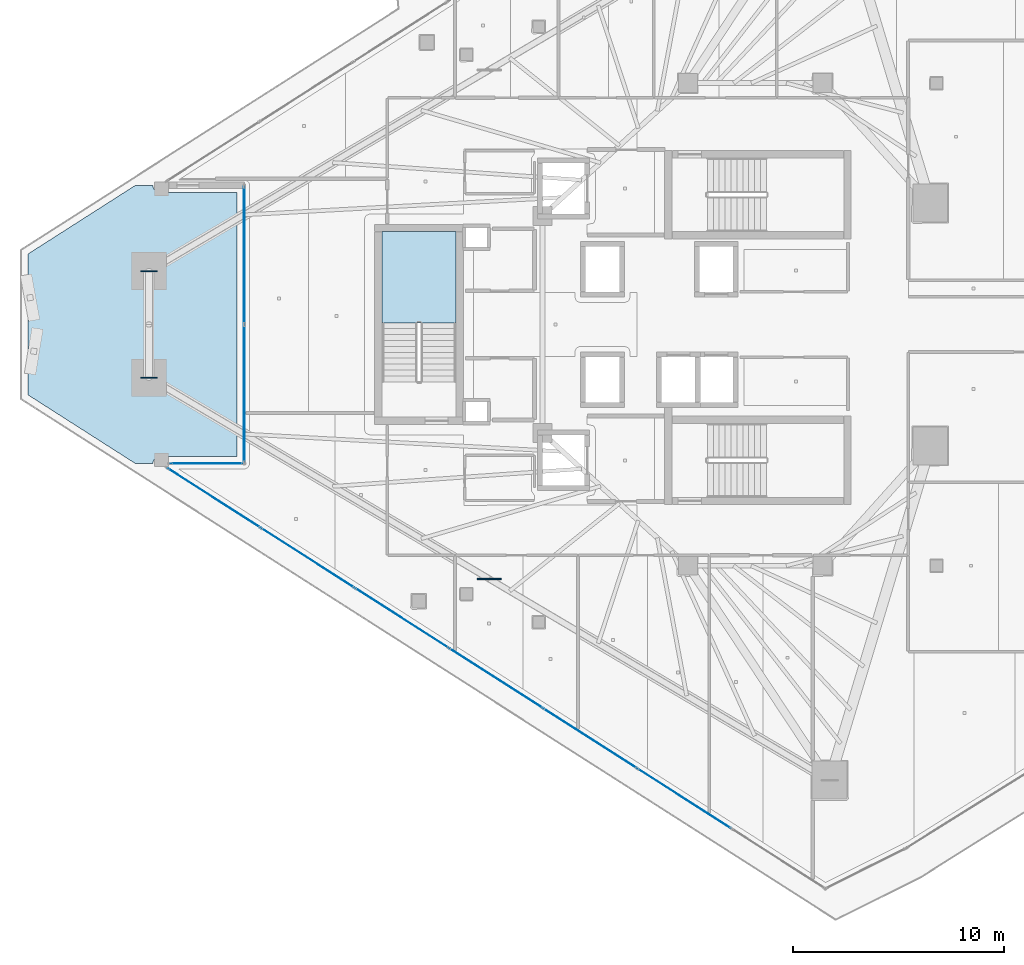
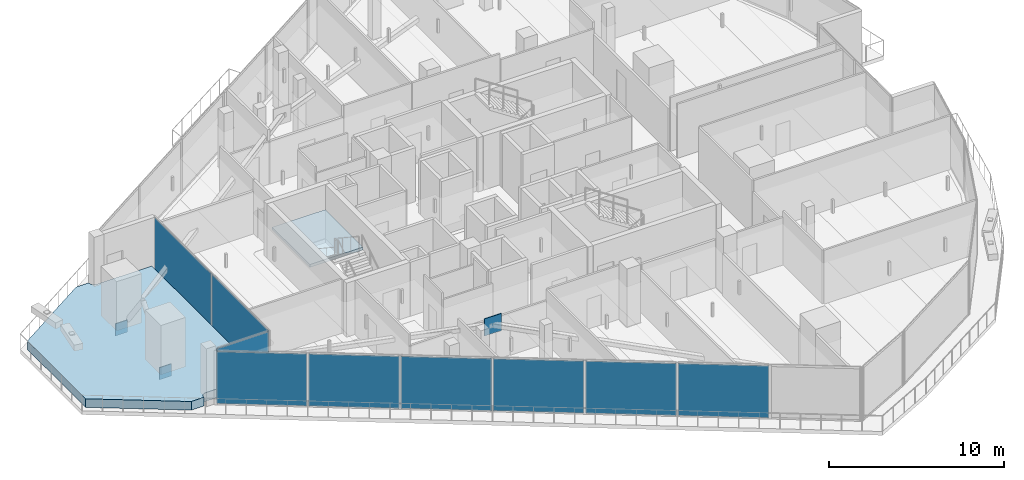
# One storey, part 26 of 40: 12 plates, 2 slabs, 4 elements without a shape of their own.
"""IFC4 building model written with IfcOpenShell, lengths in metres."""

from ifc_helpers import new_model, si_unit, direction, frame, origin, origin_2d, place, context, subcontext, project, spatial, polyline, rectangle, outline, extrude, material, layer, layer_set, type_object, element, aggregate, save


model = new_model("IFC4")

# Units and contexts
model_context = context("Model", 3, precision=1e-05, world=origin(), true_north=direction((0.0, 1.0)))
body_context = subcontext(model_context, "Body", "Model", "MODEL_VIEW")
ifc_project = project(units=[si_unit("LENGTHUNIT", "METRE"), si_unit("AREAUNIT", "SQUARE_METRE"), si_unit("VOLUMEUNIT", "CUBIC_METRE"), si_unit("PLANEANGLEUNIT", "RADIAN"), si_unit("MASSUNIT", "GRAM", prefix="KILO")], contexts=[model_context])

# Site, building, storey
site_placement = place(None, origin())
site = spatial("IfcSite", under=ifc_project, at=site_placement, CompositionType="ELEMENT")
building_placement = place(site_placement, origin())
building = spatial("IfcBuilding", under=site, at=building_placement, Name="Qorvath Tower", CompositionType="ELEMENT")
storey_placement = place(building_placement, frame((0.0, 0.0, 225.300048828125)))
storey = spatial("IfcBuildingStorey", under=building, at=storey_placement, Name="L52", CompositionType="ELEMENT", Elevation=225.300048828125)

# Curtain wall, plates
ifc_material_1 = material(Name="Anodised aluminium and triple low-E glass", Category="aluminium")
ifc_layer_1 = layer(ifc_material_1, 0.179931640625)
ifc_layer_set_1 = layer_set([ifc_layer_1], Name="CW-SYS-5")
curtain_wall_type = type_object("IfcCurtainWallType", Name="CW-SYS-5", PredefinedType="NOTDEFINED", material=ifc_layer_set_1)
curtain_wall_1_placement = place(storey_placement, origin())
curtain_wall_1 = element("IfcCurtainWall", 1, at=curtain_wall_1_placement, inside=storey, type_object=curtain_wall_type, Name="Curtain Wall CW-5 CW-T-L52-2.1", PredefinedType="NOTDEFINED")
ifc_material_2 = material(Name="Low-E triple insulated glass", Category="glass")
ifc_layer_2 = layer(ifc_material_2, 0.031982421875)
ifc_layer_set_2 = layer_set([ifc_layer_2], Name="CWP-GLZ-32")
plate_type_1 = type_object("IfcPlateType", Name="CWP-GLZ-32", PredefinedType="CURTAIN_PANEL", material=ifc_layer_set_2)
plate_1_placement = place(storey_placement, frame((-44.64794921875, 3.283447265625, 0.06494140625), z_axis=(0.0, 0.0, 1.0), x_axis=(0.0, -1.0, 0.0)))
plate_1 = element("IfcPlate", 2, at=plate_1_placement, type_object=plate_type_1, Name="CW-5 panel 1.1", PredefinedType="CURTAIN_PANEL", context=body_context, shape_type="SweptSolid", body=[
    extrude(rectangle(XDim=6.491943359375, YDim=0.031982421875, at=origin_2d()), origin(), (0.0, 0.0, 1.0), 3.650146484375),
])
plate_2_placement = place(storey_placement, frame((-44.64794921875, -3.283447265625, 0.06494140625), z_axis=(0.0, 0.0, 1.0), x_axis=(0.0, -1.0, 0.0)))
plate_2 = element("IfcPlate", 3, at=plate_2_placement, type_object=plate_type_1, Name="CW-5 panel 2.1", PredefinedType="CURTAIN_PANEL", context=body_context, shape_type="SweptSolid", body=[
    extrude(rectangle(XDim=6.491943359375, YDim=0.031982421875, at=origin_2d()), origin(), (0.0, 0.0, 1.0), 3.650146484375),
])
aggregate(curtain_wall_1, [plate_1, plate_2])

# Curtain wall, plate
curtain_wall_2_placement = place(storey_placement, origin())
curtain_wall_2 = element("IfcCurtainWall", 4, at=curtain_wall_2_placement, inside=storey, type_object=curtain_wall_type, Name="Curtain Wall CW-5 CW-T-L52-3.1", PredefinedType="NOTDEFINED")
plate_3_placement = place(storey_placement, frame((-46.42822265625, -6.6044921875, 0.06494140625), z_axis=(0.0, 0.0, 1.0), x_axis=(-1.0, 0.0, 0.0)))
plate_3 = element("IfcPlate", 5, at=plate_3_placement, type_object=plate_type_1, Name="CW-5 panel 1.1", PredefinedType="CURTAIN_PANEL", context=body_context, shape_type="SweptSolid", body=[
    extrude(rectangle(XDim=3.41064453125, YDim=0.031982421875, at=origin_2d()), origin(), (0.0, 0.0, 1.0), 3.650146484375),
])
aggregate(curtain_wall_2, [plate_3])

# Curtain wall, plates
curtain_wall_3_placement = place(storey_placement, origin())
curtain_wall_3 = element("IfcCurtainWall", 6, at=curtain_wall_3_placement, inside=storey, type_object=curtain_wall_type, Name="Curtain Wall CW-5 CW-T-L52-4.1", PredefinedType="NOTDEFINED")
plate_4_placement = place(storey_placement, frame((-46.088134765625, -8.23193359375, 0.06494140625), z_axis=(0.0, 0.0, 1.0), x_axis=(0.84260674155, -0.538529366974, 0.0)))
plate_4 = element("IfcPlate", 7, at=plate_4_placement, type_object=plate_type_1, Name="CW-5 panel 1.1", PredefinedType="CURTAIN_PANEL", context=body_context, shape_type="SweptSolid", body=[
    extrude(rectangle(XDim=5.187744140625, YDim=0.031982421875, at=origin_2d()), origin(), (0.0, 0.0, 1.0), 3.650146484375),
])
plate_5_placement = place(storey_placement, frame((-41.637939453125, -11.076171875, 0.06494140625), z_axis=(0.0, 0.0, 1.0), x_axis=(0.84260674155, -0.538529366974, 0.0)))
plate_5 = element("IfcPlate", 8, at=plate_5_placement, type_object=plate_type_1, Name="CW-5 panel 2.1", PredefinedType="CURTAIN_PANEL", context=body_context, shape_type="SweptSolid", body=[
    extrude(rectangle(XDim=5.22509765625, YDim=0.031982421875, at=origin_2d()), origin(), (0.0, 0.0, 1.0), 3.650146484375),
])
plate_6_placement = place(storey_placement, frame((-37.171875, -13.930419921875, 0.06494140625), z_axis=(0.0, 0.0, 1.0), x_axis=(0.84260674155, -0.538529366974, 0.0)))
plate_6 = element("IfcPlate", 9, at=plate_6_placement, type_object=plate_type_1, Name="CW-5 panel 3.1", PredefinedType="CURTAIN_PANEL", context=body_context, shape_type="SweptSolid", body=[
    extrude(rectangle(XDim=5.22509765625, YDim=0.031982421875, at=origin_2d()), origin(), (0.0, 0.0, 1.0), 3.650146484375),
])
plate_7_placement = place(storey_placement, frame((-32.7060546875, -16.784912109375, 0.06494140625), z_axis=(0.0, 0.0, 1.0), x_axis=(0.84260674155, -0.538529366974, 0.0)))
plate_7 = element("IfcPlate", 10, at=plate_7_placement, type_object=plate_type_1, Name="CW-5 panel 4.1", PredefinedType="CURTAIN_PANEL", context=body_context, shape_type="SweptSolid", body=[
    extrude(rectangle(XDim=5.22509765625, YDim=0.031982421875, at=origin_2d()), origin(), (0.0, 0.0, 1.0), 3.650146484375),
])
plate_8_placement = place(storey_placement, frame((-28.239990234375, -19.63916015625, 0.06494140625), z_axis=(0.0, 0.0, 1.0), x_axis=(0.84260674155, -0.538529366974, 0.0)))
plate_8 = element("IfcPlate", 11, at=plate_8_placement, type_object=plate_type_1, Name="CW-5 panel 5.1", PredefinedType="CURTAIN_PANEL", context=body_context, shape_type="SweptSolid", body=[
    extrude(rectangle(XDim=5.22509765625, YDim=0.031982421875, at=origin_2d()), origin(), (0.0, 0.0, 1.0), 3.650146484375),
])
plate_9_placement = place(storey_placement, frame((-23.77392578125, -22.493408203125, 0.06494140625), z_axis=(0.0, 0.0, 1.0), x_axis=(0.84260674155, -0.538529366974, 0.0)))
plate_9 = element("IfcPlate", 12, at=plate_9_placement, type_object=plate_type_1, Name="CW-5 panel 6.1", PredefinedType="CURTAIN_PANEL", context=body_context, shape_type="SweptSolid", body=[
    extrude(rectangle(XDim=5.22509765625, YDim=0.031982421875, at=origin_2d()), origin(), (0.0, 0.0, 1.0), 3.650146484375),
])
aggregate(curtain_wall_3, [plate_4, plate_5, plate_6, plate_7, plate_8, plate_9])

# Plates
ifc_material_3 = material(Name="Steel ASTM A572 Grade 50", Category="steel")
ifc_layer_3 = layer(ifc_material_3, 0.054931640625)
ifc_layer_set_3 = layer_set([ifc_layer_3], Name="PL-MBN1")
plate_type_2 = type_object("IfcPlateType", Name="PL-MBN1", PredefinedType="USERDEFINED", material=ifc_layer_set_3)
plate_10_placement = place(storey_placement, frame((-33.021728515625, -12.077392578125, 2.830078125), z_axis=(0.0, 0.0, 1.0), x_axis=(1.0, 0.0, 0.0)))
element("IfcPlate", 13, at=plate_10_placement, inside=storey, type_object=plate_type_2, Name="Mega-Brace Chevron Apex Gusset L52-2", ObjectType="GUSSET", PredefinedType="USERDEFINED", context=body_context, shape_type="SweptSolid", body=[
    extrude(rectangle(XDim=1.14990234375, YDim=0.054931640625, at=origin_2d()), origin(), (0.0, 0.0, 1.0), 1.199951171875),
])
for number, where, z_axis, x_axis, name in (
    (14, (-49.171875, 2.52783203125, -0.425048828125), (0.0, 0.0, 1.0), (1.0, 0.0, 0.0), "Brace Strut End Gusset Plate NDBG-110"),
    (15, (-49.171875, -2.52783203125, -0.425048828125), (0.0, 0.0, 1.0), (1.0, 0.0, 0.0), "Brace Strut End Gusset Plate NDBG-111"),
):
    element("IfcPlate", number, at=place(storey_placement, frame(where, z_axis=z_axis, x_axis=x_axis)), inside=storey, type_object=plate_type_2, Name=name, ObjectType="GUSSET", PredefinedType="USERDEFINED", context=body_context, shape_type="SweptSolid", body=[
        extrude(rectangle(XDim=0.800048828125, YDim=0.054931640625, at=origin_2d()), origin(), (0.0, 0.0, 1.0), 0.85009765625),
    ])

# Stair, slab
ifc_material_4 = material(Name="Concrete C50/60", Category="concrete")
stair_type = type_object("IfcStairType", Name="ST-H405", PredefinedType="HALF_TURN_STAIR", material=ifc_material_4)
stair_placement = place(storey_placement, origin())
stair = element("IfcStair", 16, at=stair_placement, inside=storey, type_object=stair_type, Name="L52 Tower Exit Stair 3", PredefinedType="HALF_TURN_STAIR")
ifc_material_5 = material(Name="Concrete C50/60", Category="concrete")
ifc_layer_4 = layer(ifc_material_5, 0.199951171875)
ifc_layer_set_4 = layer_set([ifc_layer_4], Name="SL-LND-200")
slab_type_1 = type_object("IfcSlabType", Name="SL-LND-200", PredefinedType="LANDING", material=ifc_layer_set_4)
slab_1_placement = place(storey_placement, frame((0.0, 0.0, 1.824951171875)))
slab_1 = element("IfcSlab", 17, at=slab_1_placement, type_object=slab_type_1, Name="TS3 landing 1", PredefinedType="LANDING", context=body_context, shape_type="SweptSolid", body=[
    extrude(outline(polyline([(-34.60009765625, 0.080078125), (-34.60009765625, 4.39990234375), (-38.110107421875, 4.39990234375), (-38.110107421875, 0.080078125), (-34.60009765625, 0.080078125)])), origin(), (0.0, 0.0, 1.0), 0.199951171875),
])
aggregate(stair, [slab_1])

# Slab
ifc_material_6 = material(Name="Precast concrete C45/55", Category="concrete")
ifc_layer_5 = layer(ifc_material_6, 0.60009765625)
ifc_layer_set_5 = layer_set([ifc_layer_5], Name="SL-PLN-600")
slab_type_2 = type_object("IfcSlabType", Name="SL-PLN-600", PredefinedType="USERDEFINED", material=ifc_layer_set_5)
slab_2_placement = place(storey_placement, origin())
element("IfcSlab", 18, at=slab_2_placement, inside=storey, type_object=slab_type_2, Name="Sky Garden Planted Bed PLANTER L52", ObjectType="PLANTER", PredefinedType="USERDEFINED", context=body_context, shape_type="SweptSolid", body=[
    extrude(outline(polyline([(-49.8095703125, 6.6044921875), (-54.91650390625, 3.340576171875), (-54.91650390625, -3.340576171875), (-49.8095703125, -6.6044921875), (-48.98388671875, -6.6044921875), (-48.978271484375, -6.5400390625), (-48.958740234375, -6.4736328125), (-48.9267578125, -6.412353515625), (-48.88330078125, -6.358642578125), (-48.830078125, -6.314453125), (-48.80029296875, -6.29638671875), (-48.736572265625, -6.269775390625), (-48.668701171875, -6.256103515625), (-44.998046875, -6.25439453125), (-44.998046875, 6.25439453125), (-48.668701171875, 6.256103515625), (-48.736572265625, 6.269775390625), (-48.80029296875, 6.29638671875), (-48.830078125, 6.314453125), (-48.88330078125, 6.358642578125), (-48.9267578125, 6.412353515625), (-48.958740234375, 6.4736328125), (-48.978271484375, 6.5400390625), (-48.98388671875, 6.6044921875), (-49.8095703125, 6.6044921875)])), origin(), (0.0, 0.0, 1.0), 0.599853515625),
])

save(model, "model.ifc")
